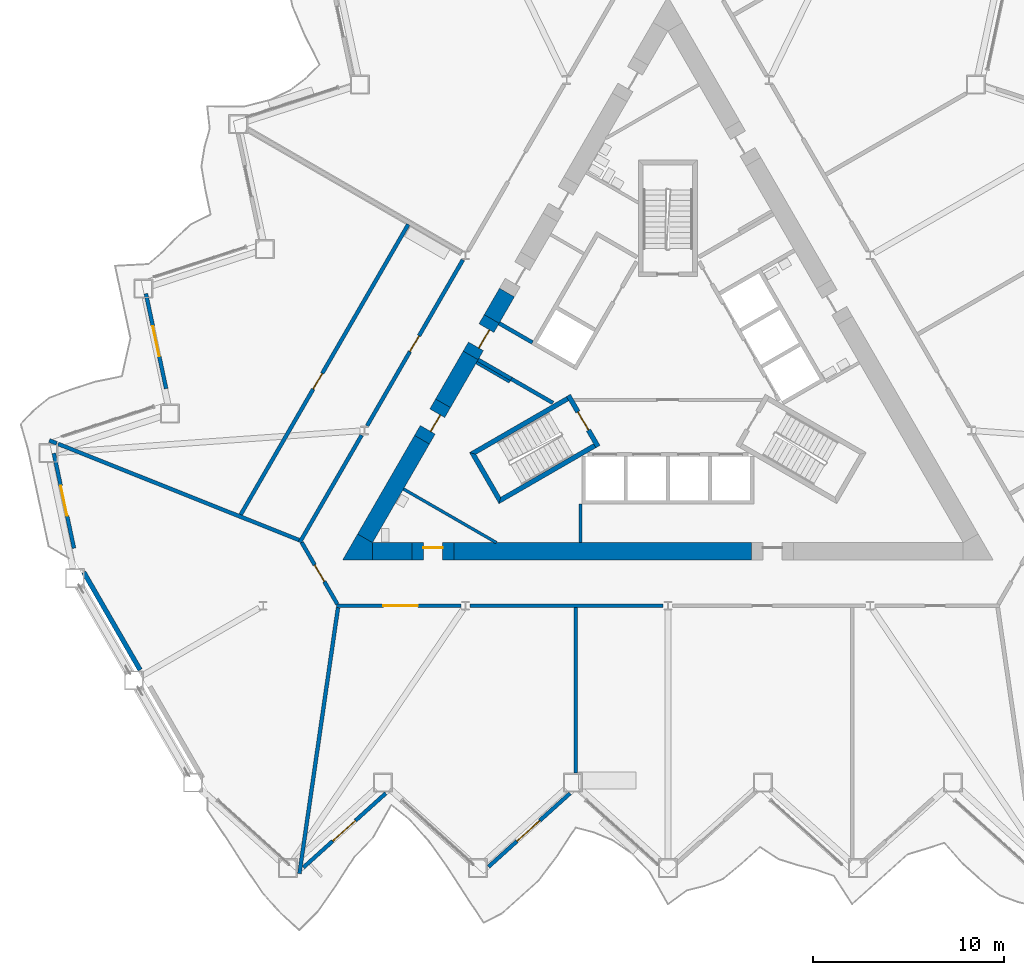
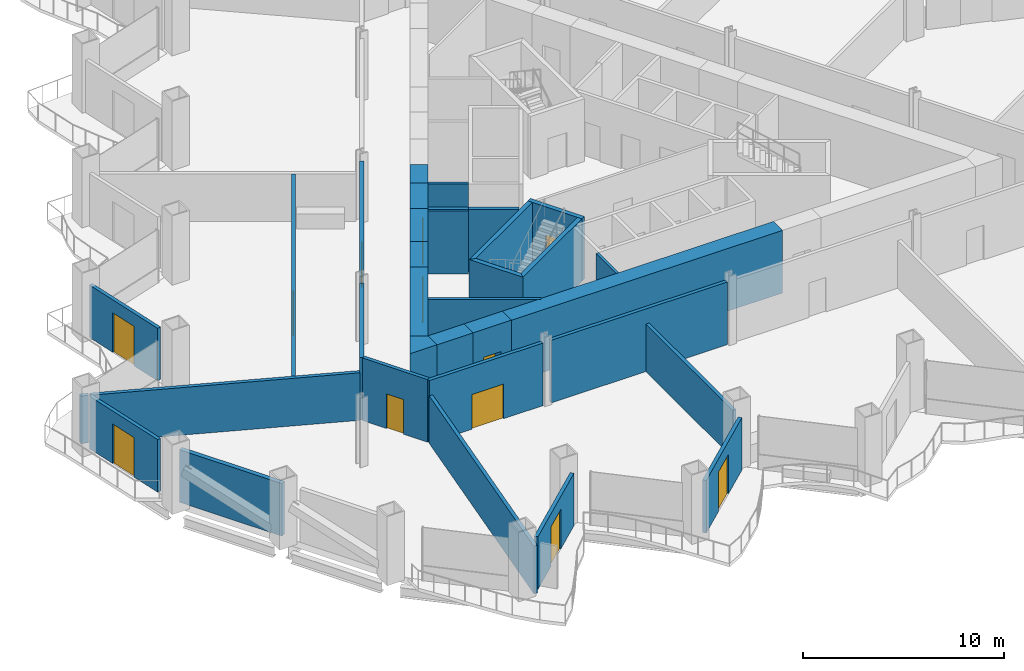
# One storey, part 9 of 20: 34 walls, 12 doors, 12 openings.
"""IFC4 building model written with IfcOpenShell, lengths in metres."""

from ifc_helpers import new_model, si_unit, direction, frame, frame_2d, origin, place, context, subcontext, project, spatial, polyline, rectangle, outline, extrude, material, layer, layer_set, type_object, element, fill, save


model = new_model("IFC4")

# Units and contexts
model_context = context("Model", 3, precision=1e-05, world=origin(), true_north=direction((0.0, 1.0)))
body_context = subcontext(model_context, "Body", "Model", "MODEL_VIEW")
ifc_project = project(units=[si_unit("LENGTHUNIT", "METRE"), si_unit("AREAUNIT", "SQUARE_METRE"), si_unit("VOLUMEUNIT", "CUBIC_METRE"), si_unit("PLANEANGLEUNIT", "RADIAN"), si_unit("MASSUNIT", "GRAM", prefix="KILO")], contexts=[model_context])

# Site, building, storey
site_placement = place(None, origin())
site = spatial("IfcSite", under=ifc_project, at=site_placement, CompositionType="ELEMENT")
building_placement = place(site_placement, origin())
building = spatial("IfcBuilding", under=site, at=building_placement, Name="Cormorant Prow Tower", CompositionType="ELEMENT")
storey_placement = place(building_placement, frame((0.0, 0.0, 38.39990234375)))
storey = spatial("IfcBuildingStorey", under=building, at=storey_placement, Name="L07", CompositionType="ELEMENT", Elevation=38.39990234375)

# Walls
ifc_material_1 = material(Name="Gypsum board partition")
ifc_layer_1 = layer(ifc_material_1, 0.14990234375)
ifc_layer_set_1 = layer_set([ifc_layer_1], Name="Gypsum board partition")
wall_type_1 = type_object("IfcWallType", Name="Core partition 150", PredefinedType="PARTITIONING", material=ifc_layer_set_1)
wall_1_placement = place(storey_placement, frame((-8.268310546875, -0.509033203125, 0.0), z_axis=(0.0, 0.0, 1.0), x_axis=(-0.866035824272, 0.499981950752, 0.0)))
element("IfcWall", 1, at=wall_1_placement, inside=storey, type_object=wall_type_1, Name="Service room partition", PredefinedType="PARTITIONING", context=body_context, shape_type="SweptSolid", body=[
    extrude(rectangle(XDim=2.0087890625, YDim=0.14990234375, at=frame_2d((1.00439453125, 0.0))), origin(), (0.0, 0.0, 1.0), 3.800048828125),
])
wall_2_placement = place(storey_placement, frame((-4.574951171875, -6.906005859375, 0.0), z_axis=(0.0, 0.0, 1.0), x_axis=(0.0, -1.0, 0.0)))
element("IfcWall", 2, at=wall_2_placement, inside=storey, type_object=wall_type_1, Name="Service room partition", PredefinedType="PARTITIONING", context=body_context, shape_type="SweptSolid", body=[
    extrude(rectangle(XDim=2.009033203125, YDim=0.14990234375, at=frame_2d((1.00439453125, 0.0))), origin(), (0.0, 0.0, 1.0), 3.800048828125),
])
wall_3_placement = place(storey_placement, frame((-13.822509765625, -6.111328125, 0.0), z_axis=(0.0, 0.0, 1.0), x_axis=(0.866026802741, -0.499997576928, 0.0)))
element("IfcWall", 3, at=wall_3_placement, inside=storey, type_object=wall_type_1, Name="Service room partition", PredefinedType="PARTITIONING", context=body_context, shape_type="SweptSolid", body=[
    extrude(rectangle(XDim=5.607421875, YDim=0.14990234375, at=frame_2d((2.8037109375, 0.0))), origin(), (0.0, 0.0, 1.0), 3.800048828125),
])
ifc_material_2 = material(Name="Concrete 8000 psi", Category="concrete")
ifc_layer_2 = layer(ifc_material_2, 0.89990234375)
ifc_layer_set_2 = layer_set([ifc_layer_2], Name="Concrete 8000 psi")
wall_type_2 = type_object("IfcWallType", Name="Core shear wall 900", PredefinedType="SHEAR", material=ifc_layer_set_2)
wall_4_placement = place(storey_placement, frame((-11.178955078125, -9.364990234375, 0.0), z_axis=(0.0, 0.0, 1.0), x_axis=(1.0, 0.0, 0.0)))
element("IfcWall", 4, at=wall_4_placement, inside=storey, type_object=wall_type_2, Name="Core wall", PredefinedType="SHEAR", context=body_context, shape_type="SweptSolid", body=[
    extrude(rectangle(XDim=15.549560546875, YDim=0.89990234375, at=frame_2d((7.77490234375, 0.0))), origin(), (0.0, 0.0, 1.0), 3.800048828125),
])
wall_5_placement = place(storey_placement, frame((-15.441162109375, -9.364990234375, 0.0), z_axis=(0.0, 0.0, 1.0), x_axis=(1.0, 0.0, 0.0)))
element("IfcWall", 5, at=wall_5_placement, inside=storey, type_object=wall_type_2, Name="Core wall", PredefinedType="SHEAR", context=body_context, shape_type="SweptSolid", body=[
    extrude(rectangle(XDim=2.062255859375, YDim=0.89990234375, at=frame_2d((1.03125, 0.0))), origin(), (0.0, 0.0, 1.0), 3.800048828125),
])
wall_6_placement = place(storey_placement, frame((-12.85498046875, -3.53564453125, 0.0), z_axis=(0.0, 0.0, 1.0), x_axis=(-0.499999419053, -0.866025739194, 0.0)))
element("IfcWall", 6, at=wall_6_placement, inside=storey, type_object=wall_type_2, Name="Core wall", PredefinedType="SHEAR", context=body_context, shape_type="SweptSolid", body=[
    extrude(rectangle(XDim=5.95166015625, YDim=0.89990234375, at=frame_2d((2.975830078125, 0.0))), origin(), (0.0, 0.0, 1.0), 3.800048828125),
])
wall_7_placement = place(storey_placement, frame((-10.310302734375, 0.8720703125, 0.0), z_axis=(0.0, 0.0, 1.0), x_axis=(-0.499946751862, -0.866056144429, 0.0)))
element("IfcWall", 7, at=wall_7_placement, inside=storey, type_object=wall_type_2, Name="Core wall", PredefinedType="SHEAR", context=body_context, shape_type="SweptSolid", body=[
    extrude(rectangle(XDim=2.889404296875, YDim=0.89990234375, at=frame_2d((1.44482421875, 0.0))), origin(), (0.0, 0.0, 1.0), 3.800048828125),
])
wall_8_placement = place(storey_placement, frame((-8.413330078125, 4.157470703125, 0.0), z_axis=(0.0, 0.0, 1.0), x_axis=(-0.499961121316, -0.86604784924, 0.0)))
element("IfcWall", 8, at=wall_8_placement, inside=storey, type_object=wall_type_2, Name="Core wall", PredefinedType="SHEAR", context=body_context, shape_type="SweptSolid", body=[
    extrude(rectangle(XDim=1.593994140625, YDim=0.89990234375, at=frame_2d((0.796875, 0.0))), origin(), (0.0, 0.0, 1.0), 3.800048828125),
])
wall_9_placement = place(storey_placement, origin())
element("IfcWall", 9, at=wall_9_placement, inside=storey, type_object=wall_type_2, Name="Core wall corner", PredefinedType="SHEAR", context=body_context, shape_type="SweptSolid", body=[
    extrude(outline(polyline([(-16.220703125, -8.465087890625), (-15.441162109375, -8.9150390625), (-15.441162109375, -9.81494140625), (-17.0, -9.81494140625), (-16.220703125, -8.465087890625)])), origin(), (0.0, 0.0, 1.0), 3.800048828125),
])

# Wall, opening, door
wall_10_placement = place(storey_placement, frame((-13.37890625, -9.364990234375, 0.0), z_axis=(0.0, 0.0, 1.0), x_axis=(1.0, 0.0, 0.0)))
wall_10 = element("IfcWall", 10, at=wall_10_placement, inside=storey, type_object=wall_type_2, Name="Core wall door panel", PredefinedType="SHEAR", context=body_context, shape_type="SweptSolid", body=[
    extrude(rectangle(XDim=2.199951171875, YDim=0.89990234375, at=frame_2d((1.10009765625, 0.0))), origin(), (0.0, 0.0, 1.0), 3.800048828125),
])
opening_1_placement = place(wall_10_placement, frame((0.60009765625, 0.0, 0.0)))
opening_1 = element("IfcOpeningElement", 11, at=opening_1_placement, cuts=wall_10, Name="Opening L07-C14", PredefinedType="OPENING", context=body_context, shape_type="SweptSolid", body=[
    extrude(rectangle(XDim=1.0, YDim=2.10009765625, at=frame_2d((0.5, 1.050048828125))), frame((0.0, 0.4599609375, 0.0), z_axis=(0.0, -1.0, 0.0), x_axis=(1.0, 0.0, 0.0)), (0.0, 0.0, 1.0), 0.919921875),
])
ifc_material_3 = material(Name="Painted steel", Category="steel")
door_type_1 = type_object("IfcDoorType", Name="Service door 1000x2100", OperationType="NOTDEFINED", PredefinedType="DOOR", material=ifc_material_3)
door_1_placement = place(opening_1_placement, origin())
door_1 = element("IfcDoor", 12, at=door_1_placement, inside=storey, type_object=door_type_1, Name="Core door, Accessible WC L07", OperationType="SINGLE_SWING_LEFT", OverallHeight=2.10009765625, OverallWidth=1.0, PredefinedType="DOOR", context=body_context, shape_type="SweptSolid", body=[
    extrude(rectangle(XDim=1.0, YDim=2.10009765625, at=frame_2d((0.5, 1.050048828125))), frame((0.0, 0.205078125, 0.0), z_axis=(0.0, -1.0, 0.0), x_axis=(1.0, 0.0, 0.0)), (0.0, 0.0, 1.0), 0.050048828125),
])
fill(opening_1, door_1)

wall_11_placement = place(storey_placement, frame((-11.7548828125, -1.63037109375, 0.0), z_axis=(0.0, 0.0, 1.0), x_axis=(-0.50002983664, -0.866008176907, 0.0)))
wall_11 = element("IfcWall", 13, at=wall_11_placement, inside=storey, type_object=wall_type_2, Name="Core wall door panel", PredefinedType="SHEAR", context=body_context, shape_type="SweptSolid", body=[
    extrude(rectangle(XDim=2.199951171875, YDim=0.89990234375, at=frame_2d((1.10009765625, 0.0))), origin(), (0.0, 0.0, 1.0), 3.800048828125),
])
opening_2_placement = place(wall_11_placement, frame((0.60009765625, 0.0, 0.0)))
opening_2 = element("IfcOpeningElement", 14, at=opening_2_placement, cuts=wall_11, Name="Opening L07-C16", PredefinedType="OPENING", context=body_context, shape_type="SweptSolid", body=[
    extrude(rectangle(XDim=1.0, YDim=2.10009765625, at=frame_2d((0.5, 1.050048828125))), frame((0.0, 0.4599609375, 0.0), z_axis=(0.0, -1.0, 0.0), x_axis=(1.0, 0.0, 0.0)), (0.0, 0.0, 1.0), 0.919921875),
])
door_2_placement = place(opening_2_placement, origin())
door_2 = element("IfcDoor", 15, at=door_2_placement, inside=storey, type_object=door_type_1, Name="Core door, Linen store", OperationType="SINGLE_SWING_LEFT", OverallHeight=2.10009765625, OverallWidth=1.0, PredefinedType="DOOR", context=body_context, shape_type="SweptSolid", body=[
    extrude(rectangle(XDim=1.0, YDim=2.10009765625, at=frame_2d((0.5, 1.050048828125))), frame((0.0, 0.205078125, 0.0), z_axis=(0.0, -1.0, 0.0), x_axis=(1.0, 0.0, 0.0)), (0.0, 0.0, 1.0), 0.050048828125),
])
fill(opening_2, door_2)

wall_12_placement = place(storey_placement, frame((-9.210205078125, 2.777099609375, 0.0), z_axis=(0.0, 0.0, 1.0), x_axis=(-0.500077893725, -0.86598042715, 0.0)))
wall_12 = element("IfcWall", 16, at=wall_12_placement, inside=storey, type_object=wall_type_2, Name="Core wall door panel", PredefinedType="SHEAR", context=body_context, shape_type="SweptSolid", body=[
    extrude(rectangle(XDim=2.199951171875, YDim=0.89990234375, at=frame_2d((1.10009765625, 0.0))), origin(), (0.0, 0.0, 1.0), 3.800048828125),
])
opening_3_placement = place(wall_12_placement, frame((0.550048828125, 0.0, 0.0)))
opening_3 = element("IfcOpeningElement", 17, at=opening_3_placement, cuts=wall_12, Name="Opening L07-C22", PredefinedType="OPENING", context=body_context, shape_type="SweptSolid", body=[
    extrude(rectangle(XDim=1.10009765625, YDim=2.10009765625, at=frame_2d((0.550048828125, 1.050048828125))), frame((0.0, 0.4599609375, 0.0), z_axis=(0.0, -1.0, 0.0), x_axis=(1.0, 0.0, 0.0)), (0.0, 0.0, 1.0), 0.919921875),
])
ifc_material_4 = material(Name="Painted steel", Category="steel")
door_type_2 = type_object("IfcDoorType", Name="Core door 1100x2100", OperationType="NOTDEFINED", PredefinedType="DOOR", material=ifc_material_4)
door_3_placement = place(opening_3_placement, origin())
door_3 = element("IfcDoor", 18, at=door_3_placement, inside=storey, type_object=door_type_2, Name="Core door, lift lobby", OperationType="SINGLE_SWING_LEFT", OverallHeight=2.10009765625, OverallWidth=1.10009765625, PredefinedType="DOOR", context=body_context, shape_type="SweptSolid", body=[
    extrude(rectangle(XDim=1.10009765625, YDim=2.10009765625, at=frame_2d((0.550048828125, 1.050048828125))), frame((0.0, 0.205078125, 0.0), z_axis=(0.0, -1.0, 0.0), x_axis=(1.0, 0.0, 0.0)), (0.0, 0.0, 1.0), 0.050048828125),
])
fill(opening_3, door_3)

# Wall
ifc_material_5 = material(Name="Gypsum board corridor wall")
ifc_layer_3 = layer(ifc_material_5, 0.199951171875)
ifc_layer_set_3 = layer_set([ifc_layer_3], Name="Gypsum board corridor wall")
wall_type_3 = type_object("IfcWallType", Name="Corridor wall 200", PredefinedType="PARTITIONING", material=ifc_layer_set_3)
wall_13_placement = place(storey_placement, frame((-10.336181640625, -12.215087890625, 0.0), z_axis=(0.0, 0.0, 1.0), x_axis=(1.0, 0.0, 0.0)))
element("IfcWall", 19, at=wall_13_placement, inside=storey, type_object=wall_type_3, Name="Corridor wall", PredefinedType="PARTITIONING", context=body_context, shape_type="SweptSolid", body=[
    extrude(rectangle(XDim=10.093994140625, YDim=0.199951171875, at=frame_2d((5.046875, 0.0))), origin(), (0.0, 0.0, 1.0), 3.800048828125),
])

# Wall, opening, door
wall_14_placement = place(storey_placement, frame((-15.727783203125, -2.811279296875, 0.0), z_axis=(0.0, 0.0, 1.0), x_axis=(0.49999175339, 0.866030164915, 0.0)))
wall_14 = element("IfcWall", 20, at=wall_14_placement, inside=storey, type_object=wall_type_3, Name="Corridor wall", PredefinedType="PARTITIONING", context=body_context, shape_type="SweptSolid", body=[
    extrude(rectangle(XDim=10.018798828125, YDim=0.199951171875, at=frame_2d((5.00927734375, 0.0))), origin(), (0.0, 0.0, 1.0), 3.800048828125),
])
opening_4_placement = place(wall_14_placement, frame((4.484130859375, 0.0, 0.0)))
opening_4 = element("IfcOpeningElement", 21, at=opening_4_placement, cuts=wall_14, Name="Opening L07-F12", PredefinedType="OPENING", context=body_context, shape_type="SweptSolid", body=[
    extrude(rectangle(XDim=0.949951171875, YDim=2.10009765625, at=frame_2d((0.47509765625, 1.050048828125))), frame((0.0, 0.10986328125, 0.0), z_axis=(0.0, -1.0, 0.0), x_axis=(1.0, 0.0, 0.0)), (0.0, 0.0, 1.0), 0.219970703125),
])
ifc_material_6 = material(Name="Timber door leaf", Category="wood")
door_type_3 = type_object("IfcDoorType", Name="Store door 950x2100", OperationType="NOTDEFINED", PredefinedType="DOOR", material=ifc_material_6)
door_4_placement = place(opening_4_placement, origin())
door_4 = element("IfcDoor", 22, at=door_4_placement, inside=storey, type_object=door_type_3, Name="Tea point and pantry door", OperationType="SINGLE_SWING_LEFT", OverallHeight=2.10009765625, OverallWidth=0.949951171875, PredefinedType="DOOR", context=body_context, shape_type="SweptSolid", body=[
    extrude(rectangle(XDim=0.949951171875, YDim=2.10009765625, at=frame_2d((0.47509765625, 1.050048828125))), frame((0.0, 0.02490234375, 0.0), z_axis=(0.0, -1.0, 0.0), x_axis=(1.0, 0.0, 0.0)), (0.0, 0.0, 1.0), 0.050048828125),
])
fill(opening_4, door_4)

wall_15_placement = place(storey_placement, frame((-17.330810546875, -12.215087890625, 0.0), z_axis=(0.0, 0.0, 1.0), x_axis=(1.0, 0.0, 0.0)))
wall_15 = element("IfcWall", 23, at=wall_15_placement, inside=storey, type_object=wall_type_3, Name="Corridor wall", PredefinedType="PARTITIONING", context=body_context, shape_type="SweptSolid", body=[
    extrude(rectangle(XDim=6.510009765625, YDim=0.199951171875, at=frame_2d((3.2548828125, 0.0))), origin(), (0.0, 0.0, 1.0), 3.800048828125),
])
opening_5_placement = place(wall_15_placement, frame((2.455322265625, 0.0, 0.0)))
opening_5 = element("IfcOpeningElement", 24, at=opening_5_placement, cuts=wall_15, Name="Opening L07-F01", PredefinedType="OPENING", context=body_context, shape_type="SweptSolid", body=[
    extrude(rectangle(XDim=1.800048828125, YDim=2.10009765625, at=frame_2d((0.89990234375, 1.050048828125))), frame((0.0, 0.10986328125, 0.0), z_axis=(0.0, -1.0, 0.0), x_axis=(1.0, 0.0, 0.0)), (0.0, 0.0, 1.0), 0.219970703125),
])
ifc_material_7 = material(Name="Timber door leaf", Category="wood")
door_type_4 = type_object("IfcDoorType", Name="Double door 1800x2100", OperationType="DOUBLE_DOOR_SINGLE_SWING", PredefinedType="DOOR", material=ifc_material_7)
door_5_placement = place(opening_5_placement, origin())
door_5 = element("IfcDoor", 25, at=door_5_placement, inside=storey, type_object=door_type_4, Name="Trading room door", OperationType="DOUBLE_DOOR_SINGLE_SWING", OverallHeight=2.10009765625, OverallWidth=1.800048828125, PredefinedType="DOOR", context=body_context, shape_type="SweptSolid", body=[
    extrude(rectangle(XDim=1.800048828125, YDim=2.10009765625, at=frame_2d((0.89990234375, 1.050048828125))), frame((0.0, 0.02490234375, 0.0), z_axis=(0.0, -1.0, 0.0), x_axis=(1.0, 0.0, 0.0)), (0.0, 0.0, 1.0), 0.050048828125),
])
fill(opening_5, door_5)

# Wall
wall_16_placement = place(storey_placement, frame((-19.243896484375, -8.901611328125, 0.0), z_axis=(0.0, 0.0, 1.0), x_axis=(0.499984737558, 0.86603421538, 0.0)))
element("IfcWall", 26, at=wall_16_placement, inside=storey, type_object=wall_type_3, Name="Corridor wall", PredefinedType="PARTITIONING", context=body_context, shape_type="SweptSolid", body=[
    extrude(rectangle(XDim=6.472900390625, YDim=0.199951171875, at=frame_2d((3.236328125, 0.0))), origin(), (0.0, 0.0, 1.0), 3.800048828125),
])

# Wall, opening, door
wall_17_placement = place(storey_placement, frame((-19.143798828125, -8.901611328125, 0.0), z_axis=(0.0, 0.0, 1.0), x_axis=(0.499958791762, -0.866049194065, 0.0)))
wall_17 = element("IfcWall", 27, at=wall_17_placement, inside=storey, type_object=wall_type_3, Name="Corridor wall", PredefinedType="PARTITIONING", context=body_context, shape_type="SweptSolid", body=[
    extrude(rectangle(XDim=3.725830078125, YDim=0.199951171875, at=frame_2d((1.86279296875, 0.0))), origin(), (0.0, 0.0, 1.0), 3.800048828125),
])
opening_6_placement = place(wall_17_placement, frame((1.363037109375, 0.0, 0.0)))
opening_6 = element("IfcOpeningElement", 28, at=opening_6_placement, cuts=wall_17, Name="Opening L07-F14", PredefinedType="OPENING", context=body_context, shape_type="SweptSolid", body=[
    extrude(rectangle(XDim=1.0, YDim=2.10009765625, at=frame_2d((0.5, 1.050048828125))), frame((0.0, 0.10986328125, 0.0), z_axis=(0.0, -1.0, 0.0), x_axis=(1.0, 0.0, 0.0)), (0.0, 0.0, 1.0), 0.219970703125),
])
ifc_material_8 = material(Name="Timber door leaf", Category="wood")
door_type_5 = type_object("IfcDoorType", Name="Office door 1000x2100", OperationType="NOTDEFINED", PredefinedType="DOOR", material=ifc_material_8)
door_6_placement = place(opening_6_placement, origin())
door_6 = element("IfcDoor", 29, at=door_6_placement, inside=storey, type_object=door_type_5, Name="Tenant suite door", OperationType="SINGLE_SWING_RIGHT", OverallHeight=2.10009765625, OverallWidth=1.0, PredefinedType="DOOR", context=body_context, shape_type="SweptSolid", body=[
    extrude(rectangle(XDim=1.0, YDim=2.10009765625, at=frame_2d((0.5, 1.050048828125))), frame((0.0, 0.02490234375, 0.0), z_axis=(0.0, -1.0, 0.0), x_axis=(1.0, 0.0, 0.0)), (0.0, 0.0, 1.0), 0.050048828125),
])
fill(opening_6, door_6)

ifc_material_9 = material(Name="Gypsum board demising wall")
ifc_layer_4 = layer(ifc_material_9, 0.199951171875)
ifc_layer_set_4 = layer_set([ifc_layer_4], Name="Gypsum board demising wall")
wall_type_4 = type_object("IfcWallType", Name="Demising wall 200", PredefinedType="PARTITIONING", material=ifc_layer_set_4)
wall_18_placement = place(storey_placement, frame((-22.3349609375, -7.455322265625, 0.0), z_axis=(0.0, 0.0, 1.0), x_axis=(0.499997414609, 0.866026896456, 0.0)))
wall_18 = element("IfcWall", 30, at=wall_18_placement, inside=storey, type_object=wall_type_4, Name="Demising wall", PredefinedType="PARTITIONING", context=body_context, shape_type="SweptSolid", body=[
    extrude(rectangle(XDim=17.52392578125, YDim=0.199951171875, at=frame_2d((8.761962890625, 0.0))), origin(), (0.0, 0.0, 1.0), 2.885498046875),
])
opening_7_placement = place(wall_18_placement, frame((7.583740234375, 0.0, 0.0)))
opening_7 = element("IfcOpeningElement", 31, at=opening_7_placement, cuts=wall_18, Name="Opening L07-F13", PredefinedType="OPENING", context=body_context, shape_type="SweptSolid", body=[
    extrude(rectangle(XDim=0.949951171875, YDim=2.10009765625, at=frame_2d((0.47509765625, 1.050048828125))), frame((0.0, 0.10986328125, 0.0), z_axis=(0.0, -1.0, 0.0), x_axis=(1.0, 0.0, 0.0)), (0.0, 0.0, 1.0), 0.219970703125),
])
door_7_placement = place(opening_7_placement, origin())
door_7 = element("IfcDoor", 32, at=door_7_placement, inside=storey, type_object=door_type_3, Name="Print and copy room door", OperationType="SINGLE_SWING_LEFT", OverallHeight=2.10009765625, OverallWidth=0.949951171875, PredefinedType="DOOR", context=body_context, shape_type="SweptSolid", body=[
    extrude(rectangle(XDim=0.949951171875, YDim=2.10009765625, at=frame_2d((0.47509765625, 1.050048828125))), frame((0.0, 0.02490234375, 0.0), z_axis=(0.0, -1.0, 0.0), x_axis=(1.0, 0.0, 0.0)), (0.0, 0.0, 1.0), 0.050048828125),
])
fill(opening_7, door_7)

# Walls
wall_19_placement = place(storey_placement, frame((-19.261962890625, -26.218994140625, 0.0), z_axis=(0.0, 0.0, 1.0), x_axis=(0.143525263071, 0.989646653539, 0.0)))
element("IfcWall", 33, at=wall_19_placement, inside=storey, type_object=wall_type_4, Name="Demising wall", PredefinedType="PARTITIONING", context=body_context, shape_type="SweptSolid", body=[
    extrude(rectangle(XDim=14.050537109375, YDim=0.199951171875, at=frame_2d((7.025390625, 0.0))), origin(), (0.0, 0.0, 1.0), 2.885498046875),
])
wall_20_placement = place(storey_placement, frame((-31.87939453125, -3.75439453125, 0.0), z_axis=(0.0, 0.0, 1.0), x_axis=(0.928821541656, -0.370527385973, 0.0)))
element("IfcWall", 34, at=wall_20_placement, inside=storey, type_object=wall_type_4, Name="Demising wall", PredefinedType="PARTITIONING", context=body_context, shape_type="SweptSolid", body=[
    extrude(rectangle(XDim=13.5576171875, YDim=0.199951171875, at=frame_2d((6.77880859375, 0.0))), origin(), (0.0, 0.0, 1.0), 2.885498046875),
])
wall_21_placement = place(storey_placement, frame((-4.817626953125, -20.949951171875, 0.0), z_axis=(0.0, 0.0, 1.0), x_axis=(0.0, 1.0, 0.0)))
element("IfcWall", 35, at=wall_21_placement, inside=storey, type_object=wall_type_4, Name="Demising wall", PredefinedType="PARTITIONING", context=body_context, shape_type="SweptSolid", body=[
    extrude(rectangle(XDim=8.635009765625, YDim=0.199951171875, at=frame_2d((4.3173828125, 0.0))), origin(), (0.0, 0.0, 1.0), 2.885498046875),
])
wall_22_placement = place(storey_placement, frame((-32.337158203125, -3.57177734375, 0.0), z_axis=(0.0, 0.0, 1.0), x_axis=(0.928757356094, -0.370688243003, 0.0)))
element("IfcWall", 36, at=wall_22_placement, inside=storey, type_object=wall_type_4, Name="Demising wall", PredefinedType="PARTITIONING", context=body_context, shape_type="SweptSolid", body=[
    extrude(rectangle(XDim=0.41943359375, YDim=0.199951171875, at=frame_2d((0.209716796875, 0.0))), origin(), (0.0, 0.0, 1.0), 2.885498046875),
])
ifc_material_10 = material(Name="Concrete 8000 psi", Category="concrete")
ifc_layer_5 = layer(ifc_material_10, 0.199951171875)
ifc_layer_set_5 = layer_set([ifc_layer_5], Name="Concrete 8000 psi")
wall_type_5 = type_object("IfcWallType", Name="Lift shaft wall 200", PredefinedType="SHEAR", material=ifc_layer_set_5)
wall_23_placement = place(storey_placement, origin())
element("IfcWall", 37, at=wall_23_placement, inside=storey, type_object=wall_type_5, Name="Lift shaft walls, WNW block", PredefinedType="SHEAR", context=body_context, shape_type="SweptSolid", body=[
    extrude(outline(polyline([(-6.060546875, -1.697021484375), (-8.230712890625, -0.444091796875), (-8.130859375, -0.27099609375), (-5.96044921875, -1.52392578125), (-6.060546875, -1.697021484375)])), origin(), (0.0, 0.0, 1.0), 3.800048828125),
])
wall_24_placement = place(storey_placement, frame((-7.080810546875, 1.547607421875, 0.0), z_axis=(0.0, 0.0, 1.0), x_axis=(-0.865983199114, 0.50007309351, 0.0)))
element("IfcWall", 38, at=wall_24_placement, inside=storey, type_object=wall_type_5, Name="Lobby passage wall", PredefinedType="SHEAR", context=body_context, shape_type="SweptSolid", body=[
    extrude(rectangle(XDim=2.009033203125, YDim=0.199951171875, at=frame_2d((1.00439453125, 0.0))), origin(), (0.0, 0.0, 1.0), 3.800048828125),
])
wall_25_placement = place(storey_placement, frame((-8.180908203125, -0.357421875, 0.0), z_axis=(0.0, 0.0, 1.0), x_axis=(-0.866035824272, 0.499981950752, 0.0)))
element("IfcWall", 39, at=wall_25_placement, inside=storey, type_object=wall_type_5, Name="Lobby passage wall", PredefinedType="SHEAR", context=body_context, shape_type="SweptSolid", body=[
    extrude(rectangle(XDim=2.0087890625, YDim=0.199951171875, at=frame_2d((1.00439453125, 0.0))), origin(), (0.0, 0.0, 1.0), 3.800048828125),
])
ifc_material_11 = material(Name="Concrete 8000 psi", Category="concrete")
ifc_layer_6 = layer(ifc_material_11, 0.25)
ifc_layer_set_6 = layer_set([ifc_layer_6], Name="Concrete 8000 psi")
wall_type_6 = type_object("IfcWallType", Name="Stair wall 250", PredefinedType="SHEAR", material=ifc_layer_set_6)
wall_26_placement = place(storey_placement, origin())
element("IfcWall", 40, at=wall_26_placement, inside=storey, type_object=wall_type_6, Name="Stair ST1 enclosure wall (flank)", PredefinedType="SHEAR", context=body_context, shape_type="SweptSolid", body=[
    extrude(outline(polyline([(-5.30712890625, -1.28125), (-10.37353515625, -4.206298828125), (-10.031982421875, -4.2978515625), (-5.18212890625, -1.497802734375), (-5.30712890625, -1.28125)])), origin(), (0.0, 0.0, 1.0), 3.800048828125),
])
wall_27_placement = place(storey_placement, origin())
element("IfcWall", 41, at=wall_27_placement, inside=storey, type_object=wall_type_6, Name="Stair ST1 enclosure wall (end)", PredefinedType="SHEAR", context=body_context, shape_type="SweptSolid", body=[
    extrude(outline(polyline([(-10.37353515625, -4.206298828125), (-8.82958984375, -6.880615234375), (-8.738037109375, -6.5390625), (-10.031982421875, -4.2978515625), (-10.37353515625, -4.206298828125)])), origin(), (0.0, 0.0, 1.0), 3.800048828125),
])
wall_28_placement = place(storey_placement, origin())
element("IfcWall", 42, at=wall_28_placement, inside=storey, type_object=wall_type_6, Name="Stair ST1 enclosure wall (flank)", PredefinedType="SHEAR", context=body_context, shape_type="SweptSolid", body=[
    extrude(outline(polyline([(-8.738037109375, -6.5390625), (-8.82958984375, -6.880615234375), (-3.76318359375, -3.95556640625), (-3.88818359375, -3.739013671875), (-8.738037109375, -6.5390625)])), origin(), (0.0, 0.0, 1.0), 3.800048828125),
])

# Wall, opening, door
wall_29_placement = place(storey_placement, frame((-5.198974609375, -1.21875, 0.0), z_axis=(0.0, 0.0, 1.0), x_axis=(0.499982516597, -0.866035497597, 0.0)))
wall_29 = element("IfcWall", 43, at=wall_29_placement, inside=storey, type_object=wall_type_6, Name="Stair ST1 door wall", PredefinedType="SHEAR", context=body_context, shape_type="SweptSolid", body=[
    extrude(rectangle(XDim=3.087890625, YDim=0.25, at=frame_2d((1.5439453125, 0.0))), origin(), (0.0, 0.0, 1.0), 3.800048828125),
])
opening_8_placement = place(wall_29_placement, frame((0.993896484375, 0.0, 0.0)))
opening_8 = element("IfcOpeningElement", 44, at=opening_8_placement, cuts=wall_29, Name="Opening L07-C11", PredefinedType="OPENING", context=body_context, shape_type="SweptSolid", body=[
    extrude(rectangle(XDim=1.10009765625, YDim=2.10009765625, at=frame_2d((0.550048828125, 1.050048828125))), frame((0.0, 0.135009765625, 0.0), z_axis=(0.0, -1.0, 0.0), x_axis=(1.0, 0.0, 0.0)), (0.0, 0.0, 1.0), 0.27001953125),
])
ifc_material_12 = material(Name="Painted steel", Category="steel")
door_type_6 = type_object("IfcDoorType", Name="Stair door 1100x2100", OperationType="NOTDEFINED", PredefinedType="DOOR", material=ifc_material_12)
door_8_placement = place(opening_8_placement, origin())
door_8 = element("IfcDoor", 45, at=door_8_placement, inside=storey, type_object=door_type_6, Name="Stair ST1 door", OperationType="SINGLE_SWING_LEFT", OverallHeight=2.10009765625, OverallWidth=1.10009765625, PredefinedType="DOOR", context=body_context, shape_type="SweptSolid", body=[
    extrude(rectangle(XDim=1.10009765625, YDim=2.10009765625, at=frame_2d((0.550048828125, 1.050048828125))), frame((0.0, 0.02490234375, 0.0), z_axis=(0.0, -1.0, 0.0), x_axis=(1.0, 0.0, 0.0)), (0.0, 0.0, 1.0), 0.050048828125),
])
fill(opening_8, door_8)

# Wall
ifc_material_13 = material(Name="Terracotta", Category="masonry")
ifc_layer_7 = layer(ifc_material_13, 0.25)
ifc_layer_set_7 = layer_set([ifc_layer_7], Name="Terracotta")
wall_type_7 = type_object("IfcWallType", Name="Terracotta bay wall 250", PredefinedType="SOLIDWALL", material=ifc_layer_set_7)
wall_30_placement = place(storey_placement, frame((-30.540283203125, -10.462646484375, 0.0), z_axis=(0.0, 0.0, 1.0), x_axis=(0.500010498135, -0.866019342599, 0.0)))
element("IfcWall", 46, at=wall_30_placement, inside=storey, type_object=wall_type_7, Name="Terracotta bay wall WSW00", PredefinedType="SOLIDWALL", context=body_context, shape_type="SweptSolid", body=[
    extrude(rectangle(XDim=5.893798828125, YDim=0.25, at=frame_2d((2.94677734375, 0.0))), origin(), (0.0, 0.0, 1.0), 3.18896484375),
])

# Wall, opening, door
ifc_material_14 = material(Name="Terracotta", Category="masonry")
ifc_layer_8 = layer(ifc_material_14, 0.199951171875)
ifc_layer_set_8 = layer_set([ifc_layer_8], Name="Terracotta")
wall_type_8 = type_object("IfcWallType", Name="Terracotta jamb wall 200", PredefinedType="SOLIDWALL", material=ifc_layer_set_8)
wall_31_placement = place(storey_placement, frame((-19.0517578125, -25.89501953125, 0.0), z_axis=(0.0, 0.0, 1.0), x_axis=(0.743145322323, 0.669130054556, 0.0)))
wall_31 = element("IfcWall", 47, at=wall_31_placement, inside=storey, type_object=wall_type_8, Name="Terracotta jamb wall S01", PredefinedType="SOLIDWALL", context=body_context, shape_type="SweptSolid", body=[
    extrude(rectangle(XDim=5.792236328125, YDim=0.199951171875, at=frame_2d((2.89599609375, 0.0))), origin(), (0.0, 0.0, 1.0), 3.18896484375),
])
opening_9_placement = place(wall_31_placement, frame((2.057373046875, 0.0, 0.0)))
opening_9 = element("IfcOpeningElement", 48, at=opening_9_placement, cuts=wall_31, Name="Opening ED07.01", PredefinedType="OPENING", context=body_context, shape_type="SweptSolid", body=[
    extrude(rectangle(XDim=1.60009765625, YDim=2.39990234375, at=frame_2d((0.800048828125, 1.199951171875))), frame((0.0, 0.10986328125, 0.0), z_axis=(0.0, -1.0, 0.0), x_axis=(1.0, 0.0, 0.0)), (0.0, 0.0, 1.0), 0.219970703125),
])
ifc_material_15 = material(Name="Aluminium 6063-T6", Category="aluminium")
door_type_7 = type_object("IfcDoorType", Name="Balcony door 1600x2400", OperationType="DOUBLE_DOOR_SINGLE_SWING", PredefinedType="DOOR", material=ifc_material_15)
door_9_placement = place(opening_9_placement, origin())
door_9 = element("IfcDoor", 49, at=door_9_placement, inside=storey, type_object=door_type_7, Name="Balcony door S01 ED07.01", OperationType="DOUBLE_DOOR_SINGLE_SWING", OverallHeight=2.39990234375, OverallWidth=1.60009765625, PredefinedType="DOOR", context=body_context, shape_type="SweptSolid", body=[
    extrude(rectangle(XDim=1.60009765625, YDim=2.39990234375, at=frame_2d((0.800048828125, 1.199951171875))), frame((0.0, 0.02490234375, 0.0), z_axis=(0.0, -1.0, 0.0), x_axis=(1.0, 0.0, 0.0)), (0.0, 0.0, 1.0), 0.050048828125),
])
fill(opening_9, door_9)

wall_32_placement = place(storey_placement, frame((-9.378662109375, -25.86083984375, 0.0), z_axis=(0.0, 0.0, 1.0), x_axis=(0.743135535271, 0.669140924034, 0.0)))
wall_32 = element("IfcWall", 50, at=wall_32_placement, inside=storey, type_object=wall_type_8, Name="Terracotta jamb wall S03", PredefinedType="SOLIDWALL", context=body_context, shape_type="SweptSolid", body=[
    extrude(rectangle(XDim=5.740966796875, YDim=0.199951171875, at=frame_2d((2.87060546875, 0.0))), origin(), (0.0, 0.0, 1.0), 3.18896484375),
])
opening_10_placement = place(wall_32_placement, frame((2.006103515625, 0.0, 0.0)))
opening_10 = element("IfcOpeningElement", 51, at=opening_10_placement, cuts=wall_32, Name="Opening ED07.02", PredefinedType="OPENING", context=body_context, shape_type="SweptSolid", body=[
    extrude(rectangle(XDim=1.60009765625, YDim=2.39990234375, at=frame_2d((0.800048828125, 1.199951171875))), frame((0.0, 0.10986328125, 0.0), z_axis=(0.0, -1.0, 0.0), x_axis=(1.0, 0.0, 0.0)), (0.0, 0.0, 1.0), 0.219970703125),
])
door_10_placement = place(opening_10_placement, origin())
door_10 = element("IfcDoor", 52, at=door_10_placement, inside=storey, type_object=door_type_7, Name="Balcony door S03 ED07.02", OperationType="DOUBLE_DOOR_SINGLE_SWING", OverallHeight=2.39990234375, OverallWidth=1.60009765625, PredefinedType="DOOR", context=body_context, shape_type="SweptSolid", body=[
    extrude(rectangle(XDim=1.60009765625, YDim=2.39990234375, at=frame_2d((0.800048828125, 1.199951171875))), frame((0.0, 0.02490234375, 0.0), z_axis=(0.0, -1.0, 0.0), x_axis=(1.0, 0.0, 0.0)), (0.0, 0.0, 1.0), 0.050048828125),
])
fill(opening_10, door_10)

wall_33_placement = place(storey_placement, frame((-27.286376953125, 4.10205078125, 0.0), z_axis=(0.0, 0.0, 1.0), x_axis=(0.207949057422, -0.978139657471, 0.0)))
wall_33 = element("IfcWall", 53, at=wall_33_placement, inside=storey, type_object=wall_type_8, Name="Terracotta jamb wall WNW07", PredefinedType="SOLIDWALL", context=body_context, shape_type="SweptSolid", body=[
    extrude(rectangle(XDim=5.07666015625, YDim=0.199951171875, at=frame_2d((2.538330078125, 0.0))), origin(), (0.0, 0.0, 1.0), 3.18896484375),
])
opening_11_placement = place(wall_33_placement, frame((1.73828125, 0.0, 0.0)))
opening_11 = element("IfcOpeningElement", 54, at=opening_11_placement, cuts=wall_33, Name="Opening ED07.14", PredefinedType="OPENING", context=body_context, shape_type="SweptSolid", body=[
    extrude(rectangle(XDim=1.60009765625, YDim=2.39990234375, at=frame_2d((0.800048828125, 1.199951171875))), frame((0.0, 0.10986328125, 0.0), z_axis=(0.0, -1.0, 0.0), x_axis=(1.0, 0.0, 0.0)), (0.0, 0.0, 1.0), 0.219970703125),
])
door_11_placement = place(opening_11_placement, origin())
door_11 = element("IfcDoor", 55, at=door_11_placement, inside=storey, type_object=door_type_7, Name="Balcony door WNW07 ED07.14", OperationType="DOUBLE_DOOR_SINGLE_SWING", OverallHeight=2.39990234375, OverallWidth=1.60009765625, PredefinedType="DOOR", context=body_context, shape_type="SweptSolid", body=[
    extrude(rectangle(XDim=1.60009765625, YDim=2.39990234375, at=frame_2d((0.800048828125, 1.199951171875))), frame((0.0, 0.02490234375, 0.0), z_axis=(0.0, -1.0, 0.0), x_axis=(1.0, 0.0, 0.0)), (0.0, 0.0, 1.0), 0.050048828125),
])
fill(opening_11, door_11)

wall_34_placement = place(storey_placement, frame((-32.103759765625, -4.2421875, 0.0), z_axis=(0.0, 0.0, 1.0), x_axis=(0.207903044531, -0.978149438519, 0.0)))
wall_34 = element("IfcWall", 56, at=wall_34_placement, inside=storey, type_object=wall_type_8, Name="Terracotta jamb wall WNW09", PredefinedType="SOLIDWALL", context=body_context, shape_type="SweptSolid", body=[
    extrude(rectangle(XDim=5.076416015625, YDim=0.199951171875, at=frame_2d((2.5380859375, 0.0))), origin(), (0.0, 0.0, 1.0), 3.18896484375),
])
opening_12_placement = place(wall_34_placement, frame((1.73828125, 0.0, 0.0)))
opening_12 = element("IfcOpeningElement", 57, at=opening_12_placement, cuts=wall_34, Name="Opening ED07.15", PredefinedType="OPENING", context=body_context, shape_type="SweptSolid", body=[
    extrude(rectangle(XDim=1.60009765625, YDim=2.39990234375, at=frame_2d((0.800048828125, 1.199951171875))), frame((0.0, 0.10986328125, 0.0), z_axis=(0.0, -1.0, 0.0), x_axis=(1.0, 0.0, 0.0)), (0.0, 0.0, 1.0), 0.219970703125),
])
door_12_placement = place(opening_12_placement, origin())
door_12 = element("IfcDoor", 58, at=door_12_placement, inside=storey, type_object=door_type_7, Name="Balcony door WNW09 ED07.15", OperationType="DOUBLE_DOOR_SINGLE_SWING", OverallHeight=2.39990234375, OverallWidth=1.60009765625, PredefinedType="DOOR", context=body_context, shape_type="SweptSolid", body=[
    extrude(rectangle(XDim=1.60009765625, YDim=2.39990234375, at=frame_2d((0.800048828125, 1.199951171875))), frame((0.0, 0.02490234375, 0.0), z_axis=(0.0, -1.0, 0.0), x_axis=(1.0, 0.0, 0.0)), (0.0, 0.0, 1.0), 0.050048828125),
])
fill(opening_12, door_12)

save(model, "model.ifc")
